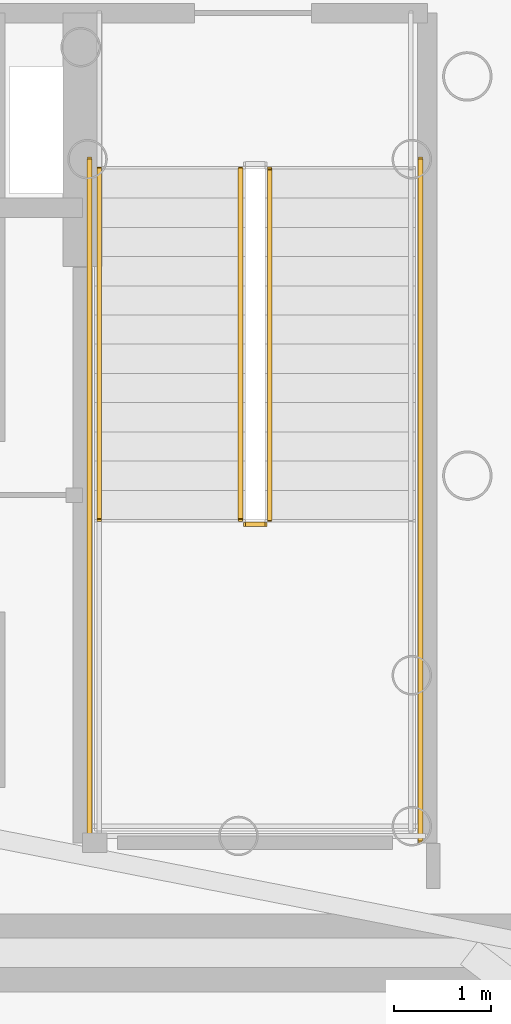
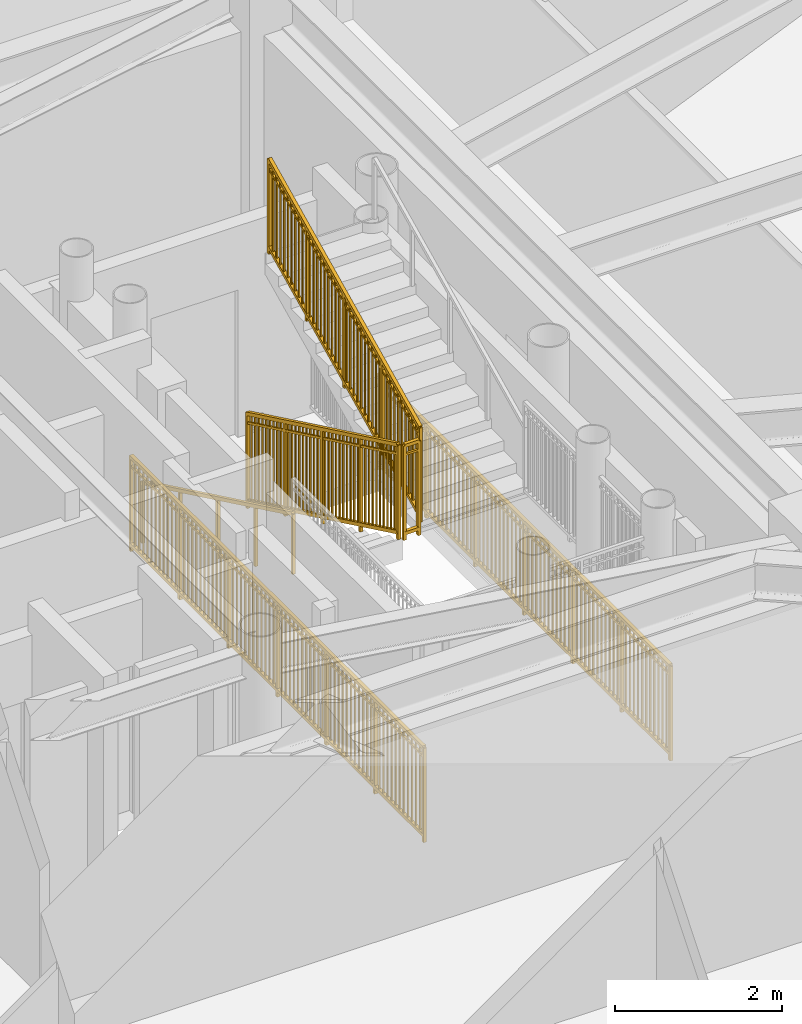
# One storey, part 21 of 22: 6 railings.
"""IFC4 building model written with IfcOpenShell, lengths in metres."""

from ifc_helpers import new_model, si_unit, direction, frame, origin, origin_2d, place, context, subcontext, project, spatial, rectangle, extrude, source, transform, mapped, material, type_object, element, save


model = new_model("IFC4")

# Units and contexts
model_context = context("Model", 3, precision=1e-05, world=origin(), true_north=direction((0.0, 1.0)))
body_context = subcontext(model_context, "Body", "Model", "MODEL_VIEW")
ifc_project = project(units=[si_unit("LENGTHUNIT", "METRE"), si_unit("AREAUNIT", "SQUARE_METRE"), si_unit("VOLUMEUNIT", "CUBIC_METRE"), si_unit("PLANEANGLEUNIT", "RADIAN"), si_unit("MASSUNIT", "GRAM", prefix="KILO")], contexts=[model_context])

# Site, building, storey
site_placement = place(None, origin())
site = spatial("IfcSite", under=ifc_project, at=site_placement, CompositionType="ELEMENT")
building_placement = place(site_placement, origin())
building = spatial("IfcBuilding", under=site, at=building_placement, Name="Linh Dai School and Residence Tower", CompositionType="ELEMENT")
storey_placement = place(building_placement, frame((0.0, 0.0, 130.949951171875)))
storey = spatial("IfcBuildingStorey", under=building, at=storey_placement, Name="L31", CompositionType="ELEMENT", Elevation=130.949951171875)

# Railings
ifc_material_1 = material(Name="Structural Steel S355JR", Category="steel")
railing_type_1 = type_object("IfcRailingType", Name="RL-ST-GUARD-1400", PredefinedType="GUARDRAIL", material=ifc_material_1)
shared_shape_1 = source(origin(), body_context, "Body", "SweptSolid", [
    extrude(rectangle(XDim=0.048095703125, YDim=0.048095703125, at=origin_2d()), frame((0.0, 0.0, 1.3759765625), z_axis=(0.0, 0.901262522062, 0.433273431364), x_axis=(-1.0, 0.0, 0.0)), (0.0, 0.0, 1.0), 3.994384765625),
    extrude(rectangle(XDim=0.048095703125, YDim=0.048095703125, at=origin_2d()), frame((0.0, 0.0, 0.10009765625), z_axis=(0.0, 0.901262522062, 0.433273431364), x_axis=(-1.0, 0.0, 0.0)), (0.0, 0.0, 1.0), 3.994384765625),
    extrude(rectangle(XDim=0.030029296875, YDim=0.030029296875, at=origin_2d()), frame((0.0, 0.0, 1.239990234375), z_axis=(0.0, 0.901262522062, 0.433273431364), x_axis=(-1.0, 0.0, 0.0)), (0.0, 0.0, 1.0), 3.994384765625),
    extrude(rectangle(XDim=0.02001953125, YDim=0.02001953125, at=origin_2d()), frame((0.0, 0.087890625, 0.142333984375)), (0.0, 0.0, 1.0), 1.251708984375),
    extrude(rectangle(XDim=0.02001953125, YDim=0.02001953125, at=origin_2d()), frame((0.0, 0.175537109375, 0.1845703125)), (0.0, 0.0, 1.0), 1.251708984375),
    extrude(rectangle(XDim=0.02001953125, YDim=0.02001953125, at=origin_2d()), frame((0.0, 0.263427734375, 0.226806640625)), (0.0, 0.0, 1.0), 1.251708984375),
    extrude(rectangle(XDim=0.02001953125, YDim=0.02001953125, at=origin_2d()), frame((0.0, 0.351318359375, 0.26904296875)), (0.0, 0.0, 1.0), 1.251708984375),
    extrude(rectangle(XDim=0.02001953125, YDim=0.02001953125, at=origin_2d()), frame((0.0, 0.43896484375, 0.311279296875)), (0.0, 0.0, 1.0), 1.251708984375),
    extrude(rectangle(XDim=0.02001953125, YDim=0.02001953125, at=origin_2d()), frame((0.0, 0.52685546875, 0.353271484375)), (0.0, 0.0, 1.0), 1.251708984375),
    extrude(rectangle(XDim=0.02001953125, YDim=0.02001953125, at=origin_2d()), frame((0.0, 0.61474609375, 0.3955078125)), (0.0, 0.0, 1.0), 1.251708984375),
    extrude(rectangle(XDim=0.02001953125, YDim=0.02001953125, at=origin_2d()), frame((0.0, 0.702392578125, 0.437744140625)), (0.0, 0.0, 1.0), 1.251708984375),
    extrude(rectangle(XDim=0.02001953125, YDim=0.02001953125, at=origin_2d()), frame((0.0, 0.790283203125, 0.47998046875)), (0.0, 0.0, 1.0), 1.251708984375),
    extrude(rectangle(XDim=0.02001953125, YDim=0.02001953125, at=origin_2d()), frame((0.0, 0.9658203125, 0.564453125)), (0.0, 0.0, 1.0), 1.251708984375),
    extrude(rectangle(XDim=0.02001953125, YDim=0.02001953125, at=origin_2d()), frame((0.0, 1.0537109375, 0.606689453125)), (0.0, 0.0, 1.0), 1.251708984375),
    extrude(rectangle(XDim=0.02001953125, YDim=0.02001953125, at=origin_2d()), frame((0.0, 1.1416015625, 0.64892578125)), (0.0, 0.0, 1.0), 1.251708984375),
    extrude(rectangle(XDim=0.02001953125, YDim=0.02001953125, at=origin_2d()), frame((0.0, 1.229248046875, 0.691162109375)), (0.0, 0.0, 1.0), 1.251708984375),
    extrude(rectangle(XDim=0.02001953125, YDim=0.02001953125, at=origin_2d()), frame((0.0, 1.317138671875, 0.7333984375)), (0.0, 0.0, 1.0), 1.251708984375),
    extrude(rectangle(XDim=0.02001953125, YDim=0.02001953125, at=origin_2d()), frame((0.0, 1.405029296875, 0.775390625)), (0.0, 0.0, 1.0), 1.251708984375),
    extrude(rectangle(XDim=0.02001953125, YDim=0.02001953125, at=origin_2d()), frame((0.0, 1.49267578125, 0.817626953125)), (0.0, 0.0, 1.0), 1.251708984375),
    extrude(rectangle(XDim=0.02001953125, YDim=0.02001953125, at=origin_2d()), frame((0.0, 1.58056640625, 0.85986328125)), (0.0, 0.0, 1.0), 1.251708984375),
    extrude(rectangle(XDim=0.02001953125, YDim=0.02001953125, at=origin_2d()), frame((0.0, 1.66845703125, 0.902099609375)), (0.0, 0.0, 1.0), 1.251708984375),
    extrude(rectangle(XDim=0.02001953125, YDim=0.02001953125, at=origin_2d()), frame((0.0, 1.756103515625, 0.9443359375)), (0.0, 0.0, 1.0), 1.251708984375),
    extrude(rectangle(XDim=0.02001953125, YDim=0.02001953125, at=origin_2d()), frame((0.0, 1.843994140625, 0.986572265625)), (0.0, 0.0, 1.0), 1.251708984375),
    extrude(rectangle(XDim=0.02001953125, YDim=0.02001953125, at=origin_2d()), frame((0.0, 1.931640625, 1.02880859375)), (0.0, 0.0, 1.0), 1.251708984375),
    extrude(rectangle(XDim=0.02001953125, YDim=0.02001953125, at=origin_2d()), frame((0.0, 2.01953125, 1.071044921875)), (0.0, 0.0, 1.0), 1.251708984375),
    extrude(rectangle(XDim=0.02001953125, YDim=0.02001953125, at=origin_2d()), frame((0.0, 2.107421875, 1.11328125)), (0.0, 0.0, 1.0), 1.251708984375),
    extrude(rectangle(XDim=0.02001953125, YDim=0.02001953125, at=origin_2d()), frame((0.0, 2.195068359375, 1.155517578125)), (0.0, 0.0, 1.0), 1.251708984375),
    extrude(rectangle(XDim=0.02001953125, YDim=0.02001953125, at=origin_2d()), frame((0.0, 2.282958984375, 1.197509765625)), (0.0, 0.0, 1.0), 1.251708984375),
    extrude(rectangle(XDim=0.02001953125, YDim=0.02001953125, at=origin_2d()), frame((0.0, 2.370849609375, 1.23974609375)), (0.0, 0.0, 1.0), 1.251708984375),
    extrude(rectangle(XDim=0.02001953125, YDim=0.02001953125, at=origin_2d()), frame((0.0, 2.45849609375, 1.281982421875)), (0.0, 0.0, 1.0), 1.251708984375),
    extrude(rectangle(XDim=0.02001953125, YDim=0.02001953125, at=origin_2d()), frame((0.0, 2.54638671875, 1.32421875)), (0.0, 0.0, 1.0), 1.251708984375),
    extrude(rectangle(XDim=0.02001953125, YDim=0.02001953125, at=origin_2d()), frame((0.0, 2.63427734375, 1.366455078125)), (0.0, 0.0, 1.0), 1.251708984375),
    extrude(rectangle(XDim=0.02001953125, YDim=0.02001953125, at=origin_2d()), frame((0.0, 2.809814453125, 1.450927734375)), (0.0, 0.0, 1.0), 1.251708984375),
    extrude(rectangle(XDim=0.02001953125, YDim=0.02001953125, at=origin_2d()), frame((0.0, 2.897705078125, 1.4931640625)), (0.0, 0.0, 1.0), 1.251708984375),
    extrude(rectangle(XDim=0.02001953125, YDim=0.02001953125, at=origin_2d()), frame((0.0, 2.9853515625, 1.535400390625)), (0.0, 0.0, 1.0), 1.251708984375),
    extrude(rectangle(XDim=0.02001953125, YDim=0.02001953125, at=origin_2d()), frame((0.0, 3.0732421875, 1.57763671875)), (0.0, 0.0, 1.0), 1.251708984375),
    extrude(rectangle(XDim=0.02001953125, YDim=0.02001953125, at=origin_2d()), frame((0.0, 3.1611328125, 1.61962890625)), (0.0, 0.0, 1.0), 1.251708984375),
    extrude(rectangle(XDim=0.02001953125, YDim=0.02001953125, at=origin_2d()), frame((0.0, 3.248779296875, 1.661865234375)), (0.0, 0.0, 1.0), 1.251708984375),
    extrude(rectangle(XDim=0.02001953125, YDim=0.02001953125, at=origin_2d()), frame((0.0, 3.336669921875, 1.7041015625)), (0.0, 0.0, 1.0), 1.251708984375),
    extrude(rectangle(XDim=0.02001953125, YDim=0.02001953125, at=origin_2d()), frame((0.0, 3.424560546875, 1.746337890625)), (0.0, 0.0, 1.0), 1.251708984375),
    extrude(rectangle(XDim=0.02001953125, YDim=0.02001953125, at=origin_2d()), frame((0.0, 3.51220703125, 1.78857421875)), (0.0, 0.0, 1.0), 1.251708984375),
    extrude(rectangle(XDim=0.0419921875, YDim=0.0419921875, at=origin_2d()), origin(), (0.0, 0.0, 1.0), 1.3759765625),
    extrude(rectangle(XDim=0.0419921875, YDim=0.0419921875, at=origin_2d()), frame((0.0, 0.89990234375, 0.4326171875)), (0.0, 0.0, 1.0), 1.3759765625),
    extrude(rectangle(XDim=0.0419921875, YDim=0.0419921875, at=origin_2d()), frame((0.0, 1.800048828125, 0.865234375)), (0.0, 0.0, 1.0), 1.3759765625),
    extrude(rectangle(XDim=0.0419921875, YDim=0.0419921875, at=origin_2d()), frame((0.0, 2.7001953125, 1.298095703125)), (0.0, 0.0, 1.0), 1.3759765625),
    extrude(rectangle(XDim=0.0419921875, YDim=0.0419921875, at=origin_2d()), frame((0.0, 3.60009765625, 1.730712890625)), (0.0, 0.0, 1.0), 1.3759765625),
])
railing_1_placement = place(storey_placement, frame((42.820068359375, 24.64990234375, 2.019287109375)))
element("IfcRailing", 1, at=railing_1_placement, inside=storey, type_object=railing_type_1, Name="L31 ST2 stair guard 6", PredefinedType="GUARDRAIL", context=body_context, shape_type="MappedRepresentation", body=[
    mapped(shared_shape_1, transform((0.0, 0.0, 0.0), x_axis=(1.0, 0.0, 0.0), y_axis=(0.0, 1.0, 0.0), z_axis=(0.0, 0.0, 1.0), scale=1.0)),
])
shared_shape_2 = source(origin(), body_context, "Body", "SweptSolid", [
    extrude(rectangle(XDim=0.048095703125, YDim=0.048095703125, at=origin_2d()), frame((0.0, 0.0, 1.3759765625), z_axis=(0.0, -0.901262522062, 0.433273431364), x_axis=(1.0, 0.0, 0.0)), (0.0, 0.0, 1.0), 3.994384765625),
    extrude(rectangle(XDim=0.048095703125, YDim=0.048095703125, at=origin_2d()), frame((0.0, 0.0, 0.10009765625), z_axis=(0.0, -0.901262522062, 0.433273431364), x_axis=(1.0, 0.0, 0.0)), (0.0, 0.0, 1.0), 3.994384765625),
    extrude(rectangle(XDim=0.030029296875, YDim=0.030029296875, at=origin_2d()), frame((0.0, 0.0, 1.239990234375), z_axis=(0.0, -0.901262522062, 0.433273431364), x_axis=(1.0, 0.0, 0.0)), (0.0, 0.0, 1.0), 3.994384765625),
    extrude(rectangle(XDim=0.02001953125, YDim=0.02001953125, at=origin_2d()), frame((0.0, -0.087890625, 0.142333984375)), (0.0, 0.0, 1.0), 1.251708984375),
    extrude(rectangle(XDim=0.02001953125, YDim=0.02001953125, at=origin_2d()), frame((0.0, -0.175537109375, 0.1845703125)), (0.0, 0.0, 1.0), 1.251708984375),
    extrude(rectangle(XDim=0.02001953125, YDim=0.02001953125, at=origin_2d()), frame((0.0, -0.263427734375, 0.226806640625)), (0.0, 0.0, 1.0), 1.251708984375),
    extrude(rectangle(XDim=0.02001953125, YDim=0.02001953125, at=origin_2d()), frame((0.0, -0.351318359375, 0.26904296875)), (0.0, 0.0, 1.0), 1.251708984375),
    extrude(rectangle(XDim=0.02001953125, YDim=0.02001953125, at=origin_2d()), frame((0.0, -0.43896484375, 0.311279296875)), (0.0, 0.0, 1.0), 1.251708984375),
    extrude(rectangle(XDim=0.02001953125, YDim=0.02001953125, at=origin_2d()), frame((0.0, -0.52685546875, 0.353271484375)), (0.0, 0.0, 1.0), 1.251708984375),
    extrude(rectangle(XDim=0.02001953125, YDim=0.02001953125, at=origin_2d()), frame((0.0, -0.61474609375, 0.3955078125)), (0.0, 0.0, 1.0), 1.251708984375),
    extrude(rectangle(XDim=0.02001953125, YDim=0.02001953125, at=origin_2d()), frame((0.0, -0.702392578125, 0.437744140625)), (0.0, 0.0, 1.0), 1.251708984375),
    extrude(rectangle(XDim=0.02001953125, YDim=0.02001953125, at=origin_2d()), frame((0.0, -0.790283203125, 0.47998046875)), (0.0, 0.0, 1.0), 1.251708984375),
    extrude(rectangle(XDim=0.02001953125, YDim=0.02001953125, at=origin_2d()), frame((0.0, -0.9658203125, 0.564453125)), (0.0, 0.0, 1.0), 1.251708984375),
    extrude(rectangle(XDim=0.02001953125, YDim=0.02001953125, at=origin_2d()), frame((0.0, -1.0537109375, 0.606689453125)), (0.0, 0.0, 1.0), 1.251708984375),
    extrude(rectangle(XDim=0.02001953125, YDim=0.02001953125, at=origin_2d()), frame((0.0, -1.1416015625, 0.64892578125)), (0.0, 0.0, 1.0), 1.251708984375),
    extrude(rectangle(XDim=0.02001953125, YDim=0.02001953125, at=origin_2d()), frame((0.0, -1.229248046875, 0.691162109375)), (0.0, 0.0, 1.0), 1.251708984375),
    extrude(rectangle(XDim=0.02001953125, YDim=0.02001953125, at=origin_2d()), frame((0.0, -1.317138671875, 0.7333984375)), (0.0, 0.0, 1.0), 1.251708984375),
    extrude(rectangle(XDim=0.02001953125, YDim=0.02001953125, at=origin_2d()), frame((0.0, -1.405029296875, 0.775390625)), (0.0, 0.0, 1.0), 1.251708984375),
    extrude(rectangle(XDim=0.02001953125, YDim=0.02001953125, at=origin_2d()), frame((0.0, -1.49267578125, 0.817626953125)), (0.0, 0.0, 1.0), 1.251708984375),
    extrude(rectangle(XDim=0.02001953125, YDim=0.02001953125, at=origin_2d()), frame((0.0, -1.58056640625, 0.85986328125)), (0.0, 0.0, 1.0), 1.251708984375),
    extrude(rectangle(XDim=0.02001953125, YDim=0.02001953125, at=origin_2d()), frame((0.0, -1.66845703125, 0.902099609375)), (0.0, 0.0, 1.0), 1.251708984375),
    extrude(rectangle(XDim=0.02001953125, YDim=0.02001953125, at=origin_2d()), frame((0.0, -1.756103515625, 0.9443359375)), (0.0, 0.0, 1.0), 1.251708984375),
    extrude(rectangle(XDim=0.02001953125, YDim=0.02001953125, at=origin_2d()), frame((0.0, -1.843994140625, 0.986572265625)), (0.0, 0.0, 1.0), 1.251708984375),
    extrude(rectangle(XDim=0.02001953125, YDim=0.02001953125, at=origin_2d()), frame((0.0, -1.931640625, 1.02880859375)), (0.0, 0.0, 1.0), 1.251708984375),
    extrude(rectangle(XDim=0.02001953125, YDim=0.02001953125, at=origin_2d()), frame((0.0, -2.01953125, 1.071044921875)), (0.0, 0.0, 1.0), 1.251708984375),
    extrude(rectangle(XDim=0.02001953125, YDim=0.02001953125, at=origin_2d()), frame((0.0, -2.107421875, 1.11328125)), (0.0, 0.0, 1.0), 1.251708984375),
    extrude(rectangle(XDim=0.02001953125, YDim=0.02001953125, at=origin_2d()), frame((0.0, -2.195068359375, 1.155517578125)), (0.0, 0.0, 1.0), 1.251708984375),
    extrude(rectangle(XDim=0.02001953125, YDim=0.02001953125, at=origin_2d()), frame((0.0, -2.282958984375, 1.197509765625)), (0.0, 0.0, 1.0), 1.251708984375),
    extrude(rectangle(XDim=0.02001953125, YDim=0.02001953125, at=origin_2d()), frame((0.0, -2.370849609375, 1.23974609375)), (0.0, 0.0, 1.0), 1.251708984375),
    extrude(rectangle(XDim=0.02001953125, YDim=0.02001953125, at=origin_2d()), frame((0.0, -2.45849609375, 1.281982421875)), (0.0, 0.0, 1.0), 1.251708984375),
    extrude(rectangle(XDim=0.02001953125, YDim=0.02001953125, at=origin_2d()), frame((0.0, -2.54638671875, 1.32421875)), (0.0, 0.0, 1.0), 1.251708984375),
    extrude(rectangle(XDim=0.02001953125, YDim=0.02001953125, at=origin_2d()), frame((0.0, -2.63427734375, 1.366455078125)), (0.0, 0.0, 1.0), 1.251708984375),
    extrude(rectangle(XDim=0.02001953125, YDim=0.02001953125, at=origin_2d()), frame((0.0, -2.809814453125, 1.450927734375)), (0.0, 0.0, 1.0), 1.251708984375),
    extrude(rectangle(XDim=0.02001953125, YDim=0.02001953125, at=origin_2d()), frame((0.0, -2.897705078125, 1.4931640625)), (0.0, 0.0, 1.0), 1.251708984375),
    extrude(rectangle(XDim=0.02001953125, YDim=0.02001953125, at=origin_2d()), frame((0.0, -2.9853515625, 1.535400390625)), (0.0, 0.0, 1.0), 1.251708984375),
    extrude(rectangle(XDim=0.02001953125, YDim=0.02001953125, at=origin_2d()), frame((0.0, -3.0732421875, 1.57763671875)), (0.0, 0.0, 1.0), 1.251708984375),
    extrude(rectangle(XDim=0.02001953125, YDim=0.02001953125, at=origin_2d()), frame((0.0, -3.1611328125, 1.61962890625)), (0.0, 0.0, 1.0), 1.251708984375),
    extrude(rectangle(XDim=0.02001953125, YDim=0.02001953125, at=origin_2d()), frame((0.0, -3.248779296875, 1.661865234375)), (0.0, 0.0, 1.0), 1.251708984375),
    extrude(rectangle(XDim=0.02001953125, YDim=0.02001953125, at=origin_2d()), frame((0.0, -3.336669921875, 1.7041015625)), (0.0, 0.0, 1.0), 1.251708984375),
    extrude(rectangle(XDim=0.02001953125, YDim=0.02001953125, at=origin_2d()), frame((0.0, -3.424560546875, 1.746337890625)), (0.0, 0.0, 1.0), 1.251708984375),
    extrude(rectangle(XDim=0.02001953125, YDim=0.02001953125, at=origin_2d()), frame((0.0, -3.51220703125, 1.78857421875)), (0.0, 0.0, 1.0), 1.251708984375),
    extrude(rectangle(XDim=0.0419921875, YDim=0.0419921875, at=origin_2d()), origin(), (0.0, 0.0, 1.0), 1.3759765625),
    extrude(rectangle(XDim=0.0419921875, YDim=0.0419921875, at=origin_2d()), frame((0.0, -0.89990234375, 0.4326171875)), (0.0, 0.0, 1.0), 1.3759765625),
    extrude(rectangle(XDim=0.0419921875, YDim=0.0419921875, at=origin_2d()), frame((0.0, -1.800048828125, 0.865234375)), (0.0, 0.0, 1.0), 1.3759765625),
    extrude(rectangle(XDim=0.0419921875, YDim=0.0419921875, at=origin_2d()), frame((0.0, -2.7001953125, 1.298095703125)), (0.0, 0.0, 1.0), 1.3759765625),
    extrude(rectangle(XDim=0.0419921875, YDim=0.0419921875, at=origin_2d()), frame((0.0, -3.60009765625, 1.730712890625)), (0.0, 0.0, 1.0), 1.3759765625),
])
railing_2_placement = place(storey_placement, frame((42.52001953125, 28.25, 0.144287109375)))
element("IfcRailing", 2, at=railing_2_placement, inside=storey, type_object=railing_type_1, Name="L31 ST2 stair guard 1", PredefinedType="GUARDRAIL", context=body_context, shape_type="MappedRepresentation", body=[
    mapped(shared_shape_2, transform((0.0, 0.0, 0.0), x_axis=(1.0, 0.0, 0.0), y_axis=(0.0, 1.0, 0.0), z_axis=(0.0, 0.0, 1.0), scale=1.0)),
])
ifc_material_2 = material(Name="Brushed Stainless Steel Handrail", Category="steel")
railing_type_2 = type_object("IfcRailingType", Name="RL-ST-HANDRAIL-900", PredefinedType="HANDRAIL", material=ifc_material_2)
shared_shape_3 = source(origin(), body_context, "Body", "SweptSolid", [
    extrude(rectangle(XDim=0.048095703125, YDim=0.048095703125, at=origin_2d()), frame((0.0, 0.0, 0.8759765625), z_axis=(0.0, -0.901262522062, 0.433273431364), x_axis=(1.0, 0.0, 0.0)), (0.0, 0.0, 1.0), 3.994384765625),
    extrude(rectangle(XDim=0.0419921875, YDim=0.0419921875, at=origin_2d()), origin(), (0.0, 0.0, 1.0), 0.8759765625),
    extrude(rectangle(XDim=0.0419921875, YDim=0.0419921875, at=origin_2d()), frame((0.0, -0.89990234375, 0.4326171875)), (0.0, 0.0, 1.0), 0.8759765625),
    extrude(rectangle(XDim=0.0419921875, YDim=0.0419921875, at=origin_2d()), frame((0.0, -1.800048828125, 0.865234375)), (0.0, 0.0, 1.0), 0.8759765625),
    extrude(rectangle(XDim=0.0419921875, YDim=0.0419921875, at=origin_2d()), frame((0.0, -2.7001953125, 1.298095703125)), (0.0, 0.0, 1.0), 0.8759765625),
    extrude(rectangle(XDim=0.0419921875, YDim=0.0419921875, at=origin_2d()), frame((0.0, -3.60009765625, 1.730712890625)), (0.0, 0.0, 1.0), 0.8759765625),
])
railing_3_placement = place(storey_placement, frame((41.070068359375, 28.25, 0.144287109375)))
element("IfcRailing", 3, at=railing_3_placement, inside=storey, type_object=railing_type_2, Name="L31 ST2 stair handrail 1", PredefinedType="HANDRAIL", context=body_context, shape_type="MappedRepresentation", body=[
    mapped(shared_shape_3, transform((0.0, 0.0, 0.0), x_axis=(1.0, 0.0, 0.0), y_axis=(0.0, 1.0, 0.0), z_axis=(0.0, 0.0, 1.0), scale=1.0)),
])
shared_shape_4 = source(origin(), body_context, "Body", "SweptSolid", [
    extrude(rectangle(XDim=0.048095703125, YDim=0.048095703125, at=origin_2d()), frame((0.0, 0.0, 1.3759765625), z_axis=(1.0, 0.0, 0.0), x_axis=(0.0, 1.0, 0.0)), (0.0, 0.0, 1.0), 0.199951171875),
    extrude(rectangle(XDim=0.048095703125, YDim=0.048095703125, at=origin_2d()), frame((0.0, 0.0, 0.10009765625), z_axis=(1.0, 0.0, 0.0), x_axis=(0.0, 1.0, 0.0)), (0.0, 0.0, 1.0), 0.199951171875),
    extrude(rectangle(XDim=0.030029296875, YDim=0.030029296875, at=origin_2d()), frame((0.0, 0.0, 1.239990234375), z_axis=(1.0, 0.0, 0.0), x_axis=(0.0, 1.0, 0.0)), (0.0, 0.0, 1.0), 0.199951171875),
    extrude(rectangle(XDim=0.0419921875, YDim=0.0419921875, at=origin_2d()), origin(), (0.0, 0.0, 1.0), 1.3759765625),
    extrude(rectangle(XDim=0.0419921875, YDim=0.0419921875, at=origin_2d()), frame((0.199951171875, 0.0, 0.0)), (0.0, 0.0, 1.0), 1.3759765625),
])
railing_4_placement = place(storey_placement, frame((42.570068359375, 24.60009765625, 1.875)))
element("IfcRailing", 4, at=railing_4_placement, inside=storey, type_object=railing_type_1, Name="L31 ST2 stair guard 2", PredefinedType="GUARDRAIL", context=body_context, shape_type="MappedRepresentation", body=[
    mapped(shared_shape_4, transform((0.0, 0.0, 0.0), x_axis=(1.0, 0.0, 0.0), y_axis=(0.0, 1.0, 0.0), z_axis=(0.0, 0.0, 1.0), scale=1.0)),
])
shared_shape_5 = source(origin(), body_context, "Body", "SweptSolid", [
    extrude(rectangle(XDim=0.048095703125, YDim=0.048095703125, at=origin_2d()), frame((0.0, 0.0, 1.3759765625), z_axis=(0.0, -1.0, 0.0), x_axis=(1.0, 0.0, 0.0)), (0.0, 0.0, 1.0), 7.0),
    extrude(rectangle(XDim=0.048095703125, YDim=0.048095703125, at=origin_2d()), frame((0.0, 0.0, 0.10009765625), z_axis=(0.0, -1.0, 0.0), x_axis=(1.0, 0.0, 0.0)), (0.0, 0.0, 1.0), 7.0),
    extrude(rectangle(XDim=0.030029296875, YDim=0.030029296875, at=origin_2d()), frame((0.0, 0.0, 1.239990234375), z_axis=(0.0, -1.0, 0.0), x_axis=(1.0, 0.0, 0.0)), (0.0, 0.0, 1.0), 7.0),
    extrude(rectangle(XDim=0.02001953125, YDim=0.02001953125, at=origin_2d()), frame((0.0, -0.09716796875, 0.10009765625)), (0.0, 0.0, 1.0), 1.251708984375),
    extrude(rectangle(XDim=0.02001953125, YDim=0.02001953125, at=origin_2d()), frame((0.0, -0.1943359375, 0.10009765625)), (0.0, 0.0, 1.0), 1.251708984375),
    extrude(rectangle(XDim=0.02001953125, YDim=0.02001953125, at=origin_2d()), frame((0.0, -0.291748046875, 0.10009765625)), (0.0, 0.0, 1.0), 1.251708984375),
    extrude(rectangle(XDim=0.02001953125, YDim=0.02001953125, at=origin_2d()), frame((0.0, -0.388916015625, 0.10009765625)), (0.0, 0.0, 1.0), 1.251708984375),
    extrude(rectangle(XDim=0.02001953125, YDim=0.02001953125, at=origin_2d()), frame((0.0, -0.486083984375, 0.10009765625)), (0.0, 0.0, 1.0), 1.251708984375),
    extrude(rectangle(XDim=0.02001953125, YDim=0.02001953125, at=origin_2d()), frame((0.0, -0.583251953125, 0.10009765625)), (0.0, 0.0, 1.0), 1.251708984375),
    extrude(rectangle(XDim=0.02001953125, YDim=0.02001953125, at=origin_2d()), frame((0.0, -0.6806640625, 0.10009765625)), (0.0, 0.0, 1.0), 1.251708984375),
    extrude(rectangle(XDim=0.02001953125, YDim=0.02001953125, at=origin_2d()), frame((0.0, -0.77783203125, 0.10009765625)), (0.0, 0.0, 1.0), 1.251708984375),
    extrude(rectangle(XDim=0.02001953125, YDim=0.02001953125, at=origin_2d()), frame((0.0, -0.875, 0.10009765625)), (0.0, 0.0, 1.0), 1.251708984375),
    extrude(rectangle(XDim=0.02001953125, YDim=0.02001953125, at=origin_2d()), frame((0.0, -0.97216796875, 0.10009765625)), (0.0, 0.0, 1.0), 1.251708984375),
    extrude(rectangle(XDim=0.02001953125, YDim=0.02001953125, at=origin_2d()), frame((0.0, -1.0693359375, 0.10009765625)), (0.0, 0.0, 1.0), 1.251708984375),
    extrude(rectangle(XDim=0.02001953125, YDim=0.02001953125, at=origin_2d()), frame((0.0, -1.263916015625, 0.10009765625)), (0.0, 0.0, 1.0), 1.251708984375),
    extrude(rectangle(XDim=0.02001953125, YDim=0.02001953125, at=origin_2d()), frame((0.0, -1.361083984375, 0.10009765625)), (0.0, 0.0, 1.0), 1.251708984375),
    extrude(rectangle(XDim=0.02001953125, YDim=0.02001953125, at=origin_2d()), frame((0.0, -1.458251953125, 0.10009765625)), (0.0, 0.0, 1.0), 1.251708984375),
    extrude(rectangle(XDim=0.02001953125, YDim=0.02001953125, at=origin_2d()), frame((0.0, -1.5556640625, 0.10009765625)), (0.0, 0.0, 1.0), 1.251708984375),
    extrude(rectangle(XDim=0.02001953125, YDim=0.02001953125, at=origin_2d()), frame((0.0, -1.65283203125, 0.10009765625)), (0.0, 0.0, 1.0), 1.251708984375),
    extrude(rectangle(XDim=0.02001953125, YDim=0.02001953125, at=origin_2d()), frame((0.0, -1.75, 0.10009765625)), (0.0, 0.0, 1.0), 1.251708984375),
    extrude(rectangle(XDim=0.02001953125, YDim=0.02001953125, at=origin_2d()), frame((0.0, -1.84716796875, 0.10009765625)), (0.0, 0.0, 1.0), 1.251708984375),
    extrude(rectangle(XDim=0.02001953125, YDim=0.02001953125, at=origin_2d()), frame((0.0, -1.9443359375, 0.10009765625)), (0.0, 0.0, 1.0), 1.251708984375),
    extrude(rectangle(XDim=0.02001953125, YDim=0.02001953125, at=origin_2d()), frame((0.0, -2.041748046875, 0.10009765625)), (0.0, 0.0, 1.0), 1.251708984375),
    extrude(rectangle(XDim=0.02001953125, YDim=0.02001953125, at=origin_2d()), frame((0.0, -2.138916015625, 0.10009765625)), (0.0, 0.0, 1.0), 1.251708984375),
    extrude(rectangle(XDim=0.02001953125, YDim=0.02001953125, at=origin_2d()), frame((0.0, -2.236083984375, 0.10009765625)), (0.0, 0.0, 1.0), 1.251708984375),
    extrude(rectangle(XDim=0.02001953125, YDim=0.02001953125, at=origin_2d()), frame((0.0, -2.4306640625, 0.10009765625)), (0.0, 0.0, 1.0), 1.251708984375),
    extrude(rectangle(XDim=0.02001953125, YDim=0.02001953125, at=origin_2d()), frame((0.0, -2.52783203125, 0.10009765625)), (0.0, 0.0, 1.0), 1.251708984375),
    extrude(rectangle(XDim=0.02001953125, YDim=0.02001953125, at=origin_2d()), frame((0.0, -2.625, 0.10009765625)), (0.0, 0.0, 1.0), 1.251708984375),
    extrude(rectangle(XDim=0.02001953125, YDim=0.02001953125, at=origin_2d()), frame((0.0, -2.72216796875, 0.10009765625)), (0.0, 0.0, 1.0), 1.251708984375),
    extrude(rectangle(XDim=0.02001953125, YDim=0.02001953125, at=origin_2d()), frame((0.0, -2.8193359375, 0.10009765625)), (0.0, 0.0, 1.0), 1.251708984375),
    extrude(rectangle(XDim=0.02001953125, YDim=0.02001953125, at=origin_2d()), frame((0.0, -2.916748046875, 0.10009765625)), (0.0, 0.0, 1.0), 1.251708984375),
    extrude(rectangle(XDim=0.02001953125, YDim=0.02001953125, at=origin_2d()), frame((0.0, -3.013916015625, 0.10009765625)), (0.0, 0.0, 1.0), 1.251708984375),
    extrude(rectangle(XDim=0.02001953125, YDim=0.02001953125, at=origin_2d()), frame((0.0, -3.111083984375, 0.10009765625)), (0.0, 0.0, 1.0), 1.251708984375),
    extrude(rectangle(XDim=0.02001953125, YDim=0.02001953125, at=origin_2d()), frame((0.0, -3.208251953125, 0.10009765625)), (0.0, 0.0, 1.0), 1.251708984375),
    extrude(rectangle(XDim=0.02001953125, YDim=0.02001953125, at=origin_2d()), frame((0.0, -3.3056640625, 0.10009765625)), (0.0, 0.0, 1.0), 1.251708984375),
    extrude(rectangle(XDim=0.02001953125, YDim=0.02001953125, at=origin_2d()), frame((0.0, -3.40283203125, 0.10009765625)), (0.0, 0.0, 1.0), 1.251708984375),
    extrude(rectangle(XDim=0.02001953125, YDim=0.02001953125, at=origin_2d()), frame((0.0, -3.59716796875, 0.10009765625)), (0.0, 0.0, 1.0), 1.251708984375),
    extrude(rectangle(XDim=0.02001953125, YDim=0.02001953125, at=origin_2d()), frame((0.0, -3.6943359375, 0.10009765625)), (0.0, 0.0, 1.0), 1.251708984375),
    extrude(rectangle(XDim=0.02001953125, YDim=0.02001953125, at=origin_2d()), frame((0.0, -3.791748046875, 0.10009765625)), (0.0, 0.0, 1.0), 1.251708984375),
    extrude(rectangle(XDim=0.02001953125, YDim=0.02001953125, at=origin_2d()), frame((0.0, -3.888916015625, 0.10009765625)), (0.0, 0.0, 1.0), 1.251708984375),
    extrude(rectangle(XDim=0.02001953125, YDim=0.02001953125, at=origin_2d()), frame((0.0, -3.986083984375, 0.10009765625)), (0.0, 0.0, 1.0), 1.251708984375),
    extrude(rectangle(XDim=0.02001953125, YDim=0.02001953125, at=origin_2d()), frame((0.0, -4.083251953125, 0.10009765625)), (0.0, 0.0, 1.0), 1.251708984375),
    extrude(rectangle(XDim=0.02001953125, YDim=0.02001953125, at=origin_2d()), frame((0.0, -4.1806640625, 0.10009765625)), (0.0, 0.0, 1.0), 1.251708984375),
    extrude(rectangle(XDim=0.02001953125, YDim=0.02001953125, at=origin_2d()), frame((0.0, -4.27783203125, 0.10009765625)), (0.0, 0.0, 1.0), 1.251708984375),
    extrude(rectangle(XDim=0.02001953125, YDim=0.02001953125, at=origin_2d()), frame((0.0, -4.375, 0.10009765625)), (0.0, 0.0, 1.0), 1.251708984375),
    extrude(rectangle(XDim=0.02001953125, YDim=0.02001953125, at=origin_2d()), frame((0.0, -4.47216796875, 0.10009765625)), (0.0, 0.0, 1.0), 1.251708984375),
    extrude(rectangle(XDim=0.02001953125, YDim=0.02001953125, at=origin_2d()), frame((0.0, -4.5693359375, 0.10009765625)), (0.0, 0.0, 1.0), 1.251708984375),
    extrude(rectangle(XDim=0.02001953125, YDim=0.02001953125, at=origin_2d()), frame((0.0, -4.763916015625, 0.10009765625)), (0.0, 0.0, 1.0), 1.251708984375),
    extrude(rectangle(XDim=0.02001953125, YDim=0.02001953125, at=origin_2d()), frame((0.0, -4.861083984375, 0.10009765625)), (0.0, 0.0, 1.0), 1.251708984375),
    extrude(rectangle(XDim=0.02001953125, YDim=0.02001953125, at=origin_2d()), frame((0.0, -4.958251953125, 0.10009765625)), (0.0, 0.0, 1.0), 1.251708984375),
    extrude(rectangle(XDim=0.02001953125, YDim=0.02001953125, at=origin_2d()), frame((0.0, -5.0556640625, 0.10009765625)), (0.0, 0.0, 1.0), 1.251708984375),
    extrude(rectangle(XDim=0.02001953125, YDim=0.02001953125, at=origin_2d()), frame((0.0, -5.15283203125, 0.10009765625)), (0.0, 0.0, 1.0), 1.251708984375),
    extrude(rectangle(XDim=0.02001953125, YDim=0.02001953125, at=origin_2d()), frame((0.0, -5.25, 0.10009765625)), (0.0, 0.0, 1.0), 1.251708984375),
    extrude(rectangle(XDim=0.02001953125, YDim=0.02001953125, at=origin_2d()), frame((0.0, -5.34716796875, 0.10009765625)), (0.0, 0.0, 1.0), 1.251708984375),
    extrude(rectangle(XDim=0.02001953125, YDim=0.02001953125, at=origin_2d()), frame((0.0, -5.4443359375, 0.10009765625)), (0.0, 0.0, 1.0), 1.251708984375),
    extrude(rectangle(XDim=0.02001953125, YDim=0.02001953125, at=origin_2d()), frame((0.0, -5.541748046875, 0.10009765625)), (0.0, 0.0, 1.0), 1.251708984375),
    extrude(rectangle(XDim=0.02001953125, YDim=0.02001953125, at=origin_2d()), frame((0.0, -5.638916015625, 0.10009765625)), (0.0, 0.0, 1.0), 1.251708984375),
    extrude(rectangle(XDim=0.02001953125, YDim=0.02001953125, at=origin_2d()), frame((0.0, -5.736083984375, 0.10009765625)), (0.0, 0.0, 1.0), 1.251708984375),
    extrude(rectangle(XDim=0.02001953125, YDim=0.02001953125, at=origin_2d()), frame((0.0, -5.9306640625, 0.10009765625)), (0.0, 0.0, 1.0), 1.251708984375),
    extrude(rectangle(XDim=0.02001953125, YDim=0.02001953125, at=origin_2d()), frame((0.0, -6.02783203125, 0.10009765625)), (0.0, 0.0, 1.0), 1.251708984375),
    extrude(rectangle(XDim=0.02001953125, YDim=0.02001953125, at=origin_2d()), frame((0.0, -6.125, 0.10009765625)), (0.0, 0.0, 1.0), 1.251708984375),
    extrude(rectangle(XDim=0.02001953125, YDim=0.02001953125, at=origin_2d()), frame((0.0, -6.22216796875, 0.10009765625)), (0.0, 0.0, 1.0), 1.251708984375),
    extrude(rectangle(XDim=0.02001953125, YDim=0.02001953125, at=origin_2d()), frame((0.0, -6.3193359375, 0.10009765625)), (0.0, 0.0, 1.0), 1.251708984375),
    extrude(rectangle(XDim=0.02001953125, YDim=0.02001953125, at=origin_2d()), frame((0.0, -6.416748046875, 0.10009765625)), (0.0, 0.0, 1.0), 1.251708984375),
    extrude(rectangle(XDim=0.02001953125, YDim=0.02001953125, at=origin_2d()), frame((0.0, -6.513916015625, 0.10009765625)), (0.0, 0.0, 1.0), 1.251708984375),
    extrude(rectangle(XDim=0.02001953125, YDim=0.02001953125, at=origin_2d()), frame((0.0, -6.611083984375, 0.10009765625)), (0.0, 0.0, 1.0), 1.251708984375),
    extrude(rectangle(XDim=0.02001953125, YDim=0.02001953125, at=origin_2d()), frame((0.0, -6.708251953125, 0.10009765625)), (0.0, 0.0, 1.0), 1.251708984375),
    extrude(rectangle(XDim=0.02001953125, YDim=0.02001953125, at=origin_2d()), frame((0.0, -6.8056640625, 0.10009765625)), (0.0, 0.0, 1.0), 1.251708984375),
    extrude(rectangle(XDim=0.02001953125, YDim=0.02001953125, at=origin_2d()), frame((0.0, -6.90283203125, 0.10009765625)), (0.0, 0.0, 1.0), 1.251708984375),
    extrude(rectangle(XDim=0.0419921875, YDim=0.0419921875, at=origin_2d()), origin(), (0.0, 0.0, 1.0), 1.3759765625),
    extrude(rectangle(XDim=0.0419921875, YDim=0.0419921875, at=origin_2d()), frame((0.0, -1.166748046875, 0.0)), (0.0, 0.0, 1.0), 1.3759765625),
    extrude(rectangle(XDim=0.0419921875, YDim=0.0419921875, at=origin_2d()), frame((0.0, -2.333251953125, 0.0)), (0.0, 0.0, 1.0), 1.3759765625),
    extrude(rectangle(XDim=0.0419921875, YDim=0.0419921875, at=origin_2d()), frame((0.0, -3.5, 0.0)), (0.0, 0.0, 1.0), 1.3759765625),
    extrude(rectangle(XDim=0.0419921875, YDim=0.0419921875, at=origin_2d()), frame((0.0, -4.666748046875, 0.0)), (0.0, 0.0, 1.0), 1.3759765625),
    extrude(rectangle(XDim=0.0419921875, YDim=0.0419921875, at=origin_2d()), frame((0.0, -5.833251953125, 0.0)), (0.0, 0.0, 1.0), 1.3759765625),
    extrude(rectangle(XDim=0.0419921875, YDim=0.0419921875, at=origin_2d()), frame((0.0, -7.0, 0.0)), (0.0, 0.0, 1.0), 1.3759765625),
])
for number, where, name in (
    (5, (40.969970703125, 28.35009765625, 0.0), "L31 ST2 stair guard 10"),
    (6, (44.3701171875, 28.35009765625, 0.0), "L31 ST2 stair guard 11"),
):
    element("IfcRailing", number, at=place(storey_placement, frame(where)), inside=storey, type_object=railing_type_1, Name=name, PredefinedType="GUARDRAIL", context=body_context, shape_type="MappedRepresentation", body=[
        mapped(shared_shape_5, transform((0.0, 0.0, 0.0), x_axis=(1.0, 0.0, 0.0), y_axis=(0.0, 1.0, 0.0), z_axis=(0.0, 0.0, 1.0), scale=1.0)),
    ])

save(model, "model.ifc")
